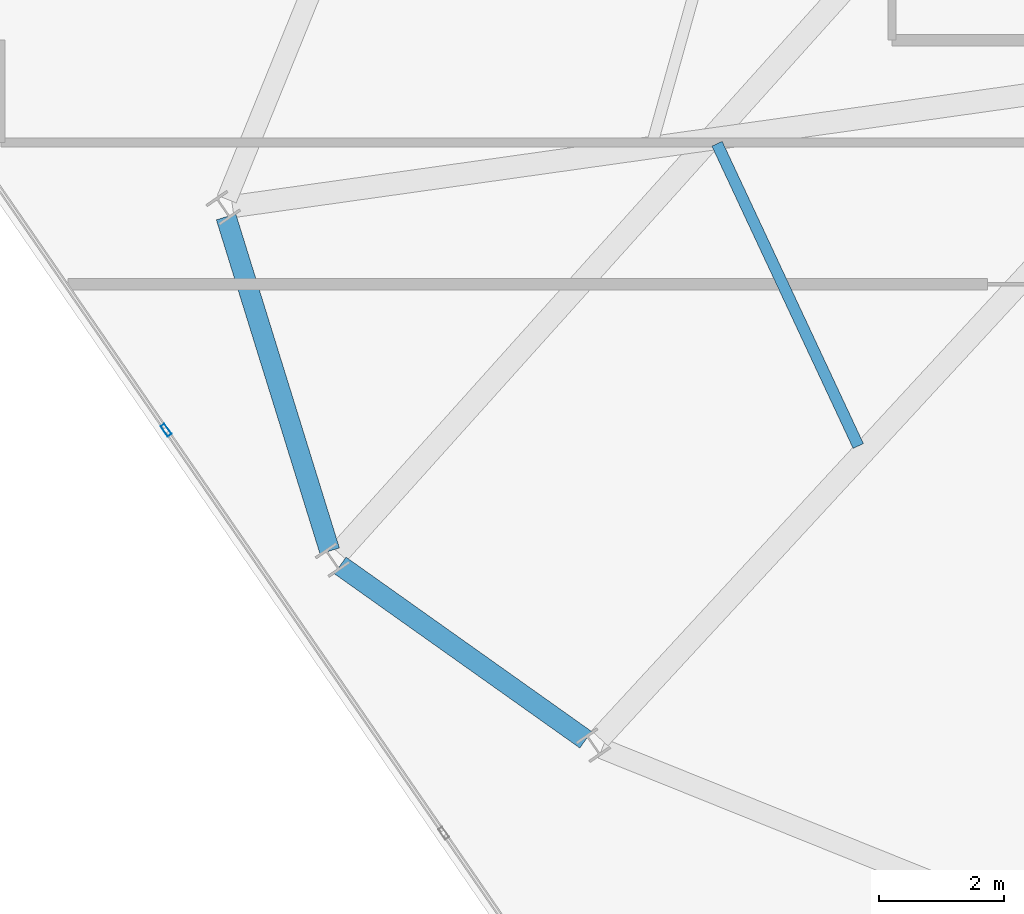
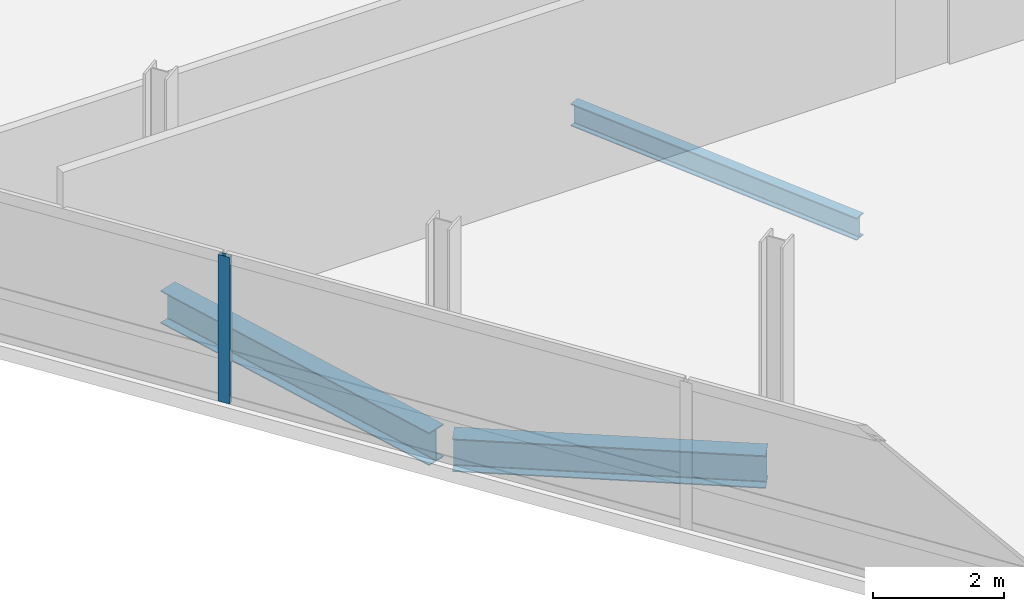
# One storey, part 5 of 21: 3 beams, 1 member, 1 element without a shape of its own.
"""IFC4 building model written with IfcOpenShell, lengths in metres."""

from ifc_helpers import new_model, si_unit, direction, frame, origin, origin_2d, place, context, subcontext, project, spatial, hollow_rectangle, i_section, extrude, material, layer, layer_set, material_profile, profile_set, type_object, element, aggregate, save


model = new_model("IFC4")

# Units and contexts
model_context = context("Model", 3, precision=1e-05, world=origin(), true_north=direction((0.0, 1.0)))
body_context = subcontext(model_context, "Body", "Model", "MODEL_VIEW")
ifc_project = project(units=[si_unit("LENGTHUNIT", "METRE"), si_unit("AREAUNIT", "SQUARE_METRE"), si_unit("VOLUMEUNIT", "CUBIC_METRE"), si_unit("PLANEANGLEUNIT", "RADIAN"), si_unit("MASSUNIT", "GRAM", prefix="KILO")], contexts=[model_context])

# Site, building, storey
site_placement = place(None, origin())
site = spatial("IfcSite", under=ifc_project, at=site_placement, CompositionType="ELEMENT")
building_placement = place(site_placement, origin())
building = spatial("IfcBuilding", under=site, at=building_placement, Name="Varnelok Gate Tower", CompositionType="ELEMENT")
storey_placement = place(building_placement, frame((0.0, 0.0, 261.89990234375)))
storey = spatial("IfcBuildingStorey", under=building, at=storey_placement, Name="L67", CompositionType="ELEMENT", Elevation=261.89990234375)

# Beams
ifc_material_1 = material(Name="Structural Steel ASTM A992 Grade 50", Category="steel")
ifc_material_profile_1 = material_profile(ifc_material_1, i_section(OverallWidth=0.180908203125, OverallDepth=0.4169921875, WebThickness=0.010986328125, FlangeThickness=0.018310546875, FilletRadius=0.013916015625, at=origin_2d()), Name="W16X57")
ifc_profile_set_1 = profile_set([ifc_material_profile_1], Name="Structural Steel ASTM A992 Grade 50")
beam_type_1 = type_object("IfcBeamType", Name="BM-JST-W16X57", PredefinedType="JOIST", material=ifc_profile_set_1)
beam_1_placement = place(storey_placement, frame((16.413330078125, 17.59033203125, -0.45849609375), z_axis=(0.423440846808, -0.905923754658, 0.0), x_axis=(0.905923754658, 0.423440846808, 0.0)))
element("IfcBeam", 1, at=beam_1_placement, inside=storey, type_object=beam_type_1, Name="L67 Sector Floor Joist 14", PredefinedType="JOIST", context=body_context, shape_type="SweptSolid", body=[
    extrude(i_section(OverallWidth=0.180908203125, OverallDepth=0.4169921875, WebThickness=0.010986328125, FlangeThickness=0.018310546875, FilletRadius=0.013916015625, at=origin_2d()), origin(), (0.0, 0.0, 1.0), 5.317626953125),
])
ifc_material_profile_2 = material_profile(ifc_material_1, i_section(OverallWidth=0.323974609375, OverallDepth=0.611083984375, WebThickness=0.0126953125, FlangeThickness=0.01904296875, FilletRadius=0.01806640625, at=origin_2d()), Name="W24X104")
ifc_profile_set_2 = profile_set([ifc_material_profile_2], Name="Structural Steel ASTM A992 Grade 50")
beam_type_2 = type_object("IfcBeamType", Name="BM-SPN-W24X104", PredefinedType="SPANDREL", material=ifc_profile_set_2)
beam_2_placement = place(storey_placement, frame((8.587646484375, 16.42529296875, -0.555419921875), z_axis=(0.296300068239, -0.955094900814, 0.0), x_axis=(0.955094900814, 0.296300068239, 0.0)))
element("IfcBeam", 2, at=beam_2_placement, inside=storey, type_object=beam_type_2, Name="L67 Perimeter Spandrel Beam 14", PredefinedType="SPANDREL", context=body_context, shape_type="SweptSolid", body=[
    extrude(i_section(OverallWidth=0.323974609375, OverallDepth=0.611083984375, WebThickness=0.0126953125, FlangeThickness=0.01904296875, FilletRadius=0.01806640625, at=origin_2d()), origin(), (0.0, 0.0, 1.0), 5.57666015625),
])
beam_3_placement = place(storey_placement, frame((10.40673828125, 10.868896484375, -0.555419921875), z_axis=(0.815431243688, -0.57885394256, 0.0), x_axis=(0.57885394256, 0.815431243688, 0.0)))
element("IfcBeam", 3, at=beam_3_placement, inside=storey, type_object=beam_type_2, Name="L67 Perimeter Spandrel Beam 15", PredefinedType="SPANDREL", context=body_context, shape_type="SweptSolid", body=[
    extrude(i_section(OverallWidth=0.323974609375, OverallDepth=0.611083984375, WebThickness=0.0126953125, FlangeThickness=0.01904296875, FilletRadius=0.01806640625, at=origin_2d()), origin(), (0.0, 0.0, 1.0), 4.7998046875),
])

# Curtain wall, member
ifc_material_2 = material(Name="Anodized Aluminum Alloy 6063-T6", Category="aluminium")
ifc_layer = layer(ifc_material_2, 0.179931640625)
ifc_layer_set = layer_set([ifc_layer], Name="Anodized Aluminum Alloy 6063-T6")
curtain_wall_type = type_object("IfcCurtainWallType", Name="CW4-RESIDENCE-VISION", PredefinedType="USERDEFINED", material=ifc_layer_set)
curtain_wall_placement = place(storey_placement, origin())
curtain_wall = element("IfcCurtainWall", 4, at=curtain_wall_placement, inside=storey, type_object=curtain_wall_type, Name="L67 West End Vision Curtain Wall", ObjectType="UNITISED CURTAIN WALL", PredefinedType="USERDEFINED")
ifc_material_profile_3 = material_profile(ifc_material_2, hollow_rectangle(XDim=0.074951171875, YDim=0.199951171875, WallThickness=0.00390625, at=origin_2d()), Name="ALU200X75X4")
ifc_profile_set_3 = profile_set([ifc_material_profile_3], Name="Anodized Aluminum Alloy 6063-T6")
member_type = type_object("IfcMemberType", Name="CW-MULL-200", PredefinedType="MULLION", material=ifc_profile_set_3)
member_placement = place(storey_placement, frame((7.631591796875, 13.0263671875, 0.0), z_axis=(0.0, 0.0, 1.0), x_axis=(-0.823532290241, -0.567269395376, 0.0)))
member = element("IfcMember", 5, at=member_placement, type_object=member_type, Name="CW4 mullion 4", PredefinedType="MULLION", context=body_context, shape_type="SweptSolid", body=[
    extrude(hollow_rectangle(XDim=0.074951171875, YDim=0.199951171875, WallThickness=0.00390625, at=origin_2d()), origin(), (0.0, 0.0, 1.0), 2.72998046875),
])
aggregate(curtain_wall, [member])

save(model, "model.ifc")
